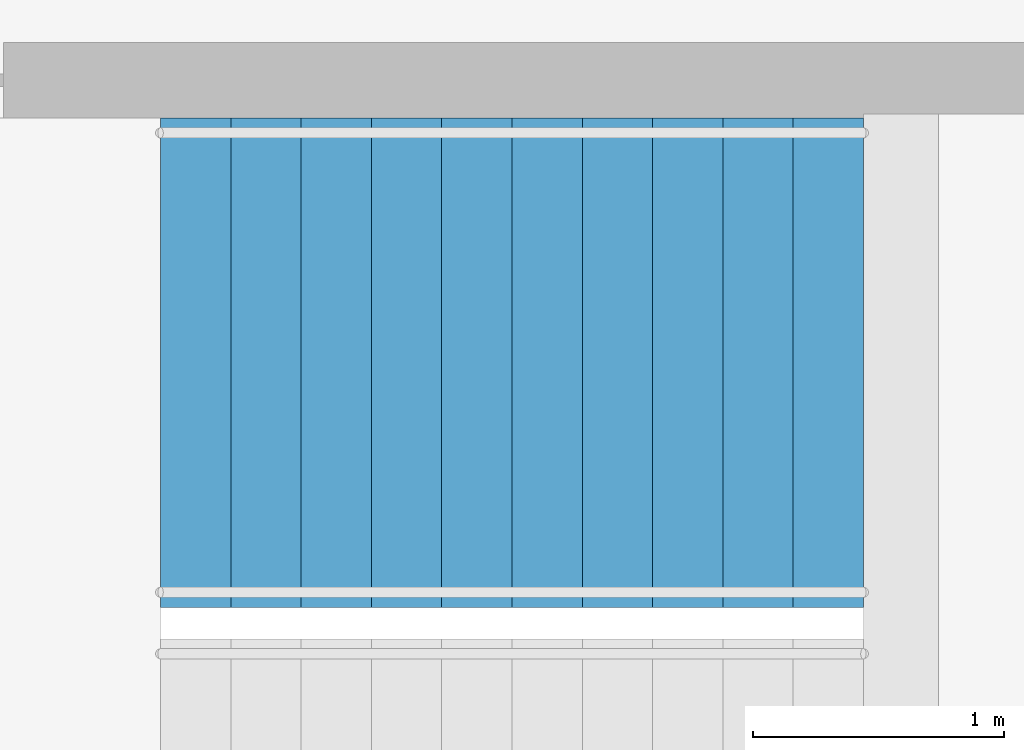
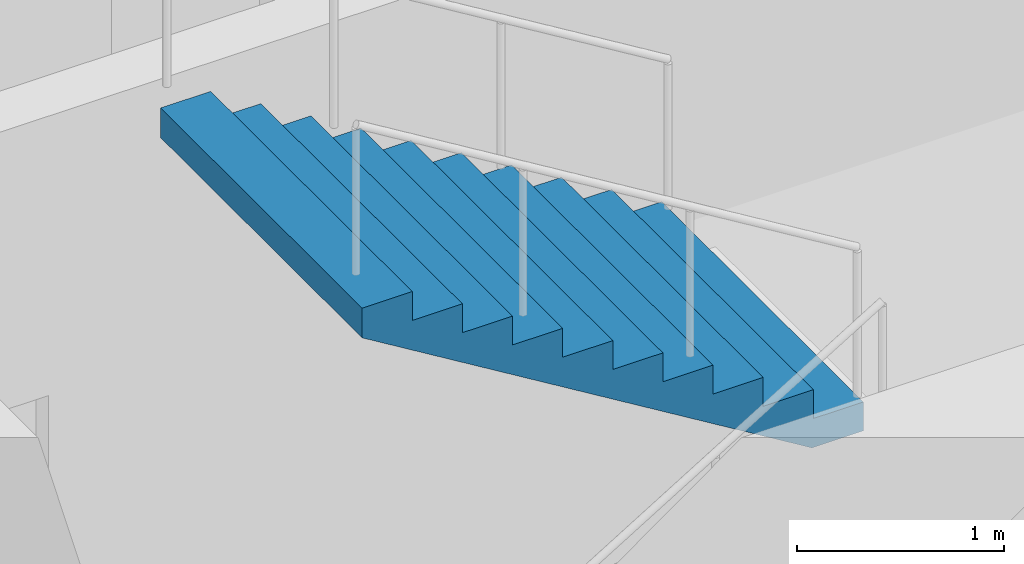
# One storey, part 24 of 29: 1 stair flight, 1 element without a shape of its own.
"""IFC4 building model written with IfcOpenShell, lengths in metres."""

from ifc_helpers import new_model, si_unit, direction, frame, origin, place, context, subcontext, project, spatial, triangles, material, type_object, element, aggregate, save


model = new_model("IFC4")

# Units and contexts
model_context = context("Model", 3, precision=1e-05, world=origin(), true_north=direction((0.0, 1.0)))
body_context = subcontext(model_context, "Body", "Model", "MODEL_VIEW")
ifc_project = project(units=[si_unit("LENGTHUNIT", "METRE"), si_unit("AREAUNIT", "SQUARE_METRE"), si_unit("VOLUMEUNIT", "CUBIC_METRE"), si_unit("PLANEANGLEUNIT", "RADIAN"), si_unit("MASSUNIT", "GRAM", prefix="KILO")], contexts=[model_context])

# Site, building, storey
site_placement = place(None, origin())
site = spatial("IfcSite", under=ifc_project, at=site_placement, CompositionType="ELEMENT")
building_placement = place(site_placement, origin())
building = spatial("IfcBuilding", under=site, at=building_placement, Name="Orbita Commons", CompositionType="ELEMENT")
storey_placement = place(building_placement, frame((0.0, 0.0, 163.60009765625)))
storey = spatial("IfcBuildingStorey", under=building, at=storey_placement, Name="L40", CompositionType="ELEMENT", Elevation=163.60009765625)

# Stair, stair flight
ifc_material_1 = material(Name="Precast concrete C40/50", Category="concrete")
stair_type = type_object("IfcStairType", Name="Exit stair S1 2 flights 11 risers 170", PredefinedType="HALF_TURN_STAIR", material=ifc_material_1)
stair_placement = place(storey_placement, origin())
stair = element("IfcStair", 1, at=stair_placement, inside=storey, type_object=stair_type, Name="Exit stair S1 L40", PredefinedType="HALF_TURN_STAIR")
ifc_material_2 = material(Name="Precast concrete C40/50", Category="concrete")
stair_flight_type = type_object("IfcStairFlightType", Name="Stair flight 11 risers 170 x 280", PredefinedType="STRAIGHT", material=ifc_material_2)
stair_flight_placement = place(storey_placement, frame((23.25, 29.27490234375, 1.875), z_axis=(0.0, 0.0, 1.0), x_axis=(-1.0, 0.0, 0.0)))
stair_flight = element("IfcStairFlight", 2, at=stair_flight_placement, type_object=stair_flight_type, Name="S1 flight 2", NumberOfRisers=11, NumberOfTreads=10, PredefinedType="STRAIGHT", RiserHeight=0.170454545, TreadLength=0.28, context=body_context, shape_type="Tessellation", body=[
    triangles([(0.0, 0.974976, 0.0), (0.0, 0.974976, 0.021307), (0.0, 0.81248, 0.021307), (0.0, 0.81248, 0.0), (0.0, 0.649984, 0.021307), (0.0, 0.649984, 0.0), (0.0, 0.487488, 0.021307), (0.0, 0.487488, 0.0), (0.0, 0.324992, 0.021307), (0.0, 0.324992, 0.0), (0.0, 0.162496, 0.021307), (0.0, 0.162496, 0.0), (0.0, 0.0, 0.021307), (0.0, 0.0, 0.0), (0.0, -0.162496, 0.021307), (0.0, -0.162496, 0.0), (0.0, -0.324992, 0.021307), (0.0, -0.324992, 0.0), (0.0, -0.487488, 0.021307), (0.0, -0.487488, 0.0), (0.0, -0.649984, 0.021307), (0.0, -0.649984, 0.0), (0.0, -0.81248, 0.021307), (0.0, -0.81248, 0.0), (0.0, -0.974976, 0.021307), (0.0, -0.974976, 0.0), (0.0, 0.974976, 0.042614), (0.0, 0.81248, 0.042614), (0.0, 0.649984, 0.042614), (0.0, 0.487488, 0.042614), (0.0, 0.324992, 0.042614), (0.0, 0.162496, 0.042614), (0.0, 0.0, 0.042614), (0.0, -0.162496, 0.042614), (0.0, -0.324992, 0.042614), (0.0, -0.487488, 0.042614), (0.0, -0.649984, 0.042614), (0.0, -0.81248, 0.042614), (0.0, -0.974976, 0.042614), (0.0, 0.974976, 0.06392), (0.0, 0.81248, 0.06392), (0.0, 0.649984, 0.06392), (0.0, 0.487488, 0.06392), (0.0, 0.324992, 0.06392), (0.0, 0.162496, 0.06392), (0.0, 0.0, 0.06392), (0.0, -0.162496, 0.06392), (0.0, -0.324992, 0.06392), (0.0, -0.487488, 0.06392), (0.0, -0.649984, 0.06392), (0.0, -0.81248, 0.06392), (0.0, -0.974976, 0.06392), (0.0, 0.974976, 0.085227), (0.0, 0.81248, 0.085227), (0.0, 0.649984, 0.085227), (0.0, 0.487488, 0.085227), (0.0, 0.324992, 0.085227), (0.0, 0.162496, 0.085227), (0.0, 0.0, 0.085227), (0.0, -0.162496, 0.085227), (0.0, -0.324992, 0.085227), (0.0, -0.487488, 0.085227), (0.0, -0.649984, 0.085227), (0.0, -0.81248, 0.085227), (0.0, -0.974976, 0.085227), (0.0, 0.974976, 0.106534), (0.0, 0.81248, 0.106534), (0.0, 0.649984, 0.106534), (0.0, 0.487488, 0.106534), (0.0, 0.324992, 0.106534), (0.0, 0.162496, 0.106534), (0.0, 0.0, 0.106534), (0.0, -0.162496, 0.106534), (0.0, -0.324992, 0.106534), (0.0, -0.487488, 0.106534), (0.0, -0.649984, 0.106534), (0.0, -0.81248, 0.106534), (0.0, -0.974976, 0.106534), (0.0, 0.974976, 0.127841), (0.0, 0.81248, 0.127841), (0.0, 0.649984, 0.127841), (0.0, 0.487488, 0.127841), (0.0, 0.324992, 0.127841), (0.0, 0.162496, 0.127841), (0.0, 0.0, 0.127841), (0.0, -0.162496, 0.127841), (0.0, -0.324992, 0.127841), (0.0, -0.487488, 0.127841), (0.0, -0.649984, 0.127841), (0.0, -0.81248, 0.127841), (0.0, -0.974976, 0.127841), (0.0, 0.974976, 0.149148), (0.0, 0.81248, 0.149148), (0.0, 0.649984, 0.149148), (0.0, 0.487488, 0.149148), (0.0, 0.324992, 0.149148), (0.0, 0.162496, 0.149148), (0.0, 0.0, 0.149148), (0.0, -0.162496, 0.149148), (0.0, -0.324992, 0.149148), (0.0, -0.487488, 0.149148), (0.0, -0.649984, 0.149148), (0.0, -0.81248, 0.149148), (0.0, -0.974976, 0.149148), (0.0, 0.974976, 0.170455), (0.0, 0.81248, 0.170455), (0.0, 0.649984, 0.170455), (0.0, 0.487488, 0.170455), (0.0, 0.324992, 0.170455), (0.0, 0.162496, 0.170455), (0.0, 0.0, 0.170455), (0.0, -0.162496, 0.170455), (0.0, -0.324992, 0.170455), (0.0, -0.487488, 0.170455), (0.0, -0.649984, 0.170455), (0.0, -0.81248, 0.170455), (0.0, -0.974976, 0.170455), (0.28, 0.974976, 0.170455), (0.28, 0.81248, 0.170455), (0.28, 0.649984, 0.170455), (0.28, 0.487488, 0.170455), (0.28, 0.324992, 0.170455), (0.28, 0.162496, 0.170455), (0.28, 0.0, 0.170455), (0.28, -0.162496, 0.170455), (0.28, -0.324992, 0.170455), (0.28, -0.487488, 0.170455), (0.28, -0.649984, 0.170455), (0.28, -0.81248, 0.170455), (0.28, -0.974976, 0.170455), (0.28, 0.974976, 0.340909), (0.28, 0.81248, 0.340909), (0.28, 0.649984, 0.340909), (0.28, 0.487488, 0.340909), (0.28, 0.324992, 0.340909), (0.28, 0.162496, 0.340909), (0.28, 0.0, 0.340909), (0.28, -0.162496, 0.340909), (0.28, -0.324992, 0.340909), (0.28, -0.487488, 0.340909), (0.28, -0.649984, 0.340909), (0.28, -0.81248, 0.340909), (0.28, -0.974976, 0.340909), (0.56, 0.974976, 0.340909), (0.56, 0.81248, 0.340909), (0.56, 0.649984, 0.340909), (0.56, 0.487488, 0.340909), (0.56, 0.324992, 0.340909), (0.56, 0.162496, 0.340909), (0.56, 0.0, 0.340909), (0.56, -0.162496, 0.340909), (0.56, -0.324992, 0.340909), (0.56, -0.487488, 0.340909), (0.56, -0.649984, 0.340909), (0.56, -0.81248, 0.340909), (0.56, -0.974976, 0.340909), (0.56, 0.974976, 0.511364), (0.56, 0.81248, 0.511364), (0.56, 0.649984, 0.511364), (0.56, 0.487488, 0.511364), (0.56, 0.324992, 0.511364), (0.56, 0.162496, 0.511364), (0.56, 0.0, 0.511364), (0.56, -0.162496, 0.511364), (0.56, -0.324992, 0.511364), (0.56, -0.487488, 0.511364), (0.56, -0.649984, 0.511364), (0.56, -0.81248, 0.511364), (0.56, -0.974976, 0.511364), (0.84, 0.974976, 0.511364), (0.84, 0.81248, 0.511364), (0.84, 0.649984, 0.511364), (0.84, 0.487488, 0.511364), (0.84, 0.324992, 0.511364), (0.84, 0.162496, 0.511364), (0.84, 0.0, 0.511364), (0.84, -0.162496, 0.511364), (0.84, -0.324992, 0.511364), (0.84, -0.487488, 0.511364), (0.84, -0.649984, 0.511364), (0.84, -0.81248, 0.511364), (0.84, -0.974976, 0.511364), (0.84, 0.974976, 0.681818), (0.84, 0.81248, 0.681818), (0.84, 0.649984, 0.681818), (0.84, 0.487488, 0.681818), (0.84, 0.324992, 0.681818), (0.84, 0.162496, 0.681818), (0.84, 0.0, 0.681818), (0.84, -0.162496, 0.681818), (0.84, -0.324992, 0.681818), (0.84, -0.487488, 0.681818), (0.84, -0.649984, 0.681818), (0.84, -0.81248, 0.681818), (0.84, -0.974976, 0.681818), (1.12, 0.974976, 0.681818), (1.12, 0.81248, 0.681818), (1.12, 0.649984, 0.681818), (1.12, 0.487488, 0.681818), (1.12, 0.324992, 0.681818), (1.12, 0.162496, 0.681818), (1.12, 0.0, 0.681818), (1.12, -0.162496, 0.681818), (1.12, -0.324992, 0.681818), (1.12, -0.487488, 0.681818), (1.12, -0.649984, 0.681818), (1.12, -0.81248, 0.681818), (1.12, -0.974976, 0.681818), (1.12, 0.974976, 0.852273), (1.12, 0.81248, 0.852273), (1.12, 0.649984, 0.852273), (1.12, 0.487488, 0.852273), (1.12, 0.324992, 0.852273), (1.12, 0.162496, 0.852273), (1.12, 0.0, 0.852273), (1.12, -0.162496, 0.852273), (1.12, -0.324992, 0.852273), (1.12, -0.487488, 0.852273), (1.12, -0.649984, 0.852273), (1.12, -0.81248, 0.852273), (1.12, -0.974976, 0.852273), (1.4, 0.974976, 0.852273), (1.4, 0.81248, 0.852273), (1.4, 0.649984, 0.852273), (1.4, 0.487488, 0.852273), (1.4, 0.324992, 0.852273), (1.4, 0.162496, 0.852273), (1.4, 0.0, 0.852273), (1.4, -0.162496, 0.852273), (1.4, -0.324992, 0.852273), (1.4, -0.487488, 0.852273), (1.4, -0.649984, 0.852273), (1.4, -0.81248, 0.852273), (1.4, -0.974976, 0.852273), (1.4, 0.974976, 1.022727), (1.4, 0.81248, 1.022727), (1.4, 0.649984, 1.022727), (1.4, 0.487488, 1.022727), (1.4, 0.324992, 1.022727), (1.4, 0.162496, 1.022727), (1.4, 0.0, 1.022727), (1.4, -0.162496, 1.022727), (1.4, -0.324992, 1.022727), (1.4, -0.487488, 1.022727), (1.4, -0.649984, 1.022727), (1.4, -0.81248, 1.022727), (1.4, -0.974976, 1.022727), (1.68, 0.974976, 1.022727), (1.68, 0.81248, 1.022727), (1.68, 0.649984, 1.022727), (1.68, 0.487488, 1.022727), (1.68, 0.324992, 1.022727), (1.68, 0.162496, 1.022727), (1.68, 0.0, 1.022727), (1.68, -0.162496, 1.022727), (1.68, -0.324992, 1.022727), (1.68, -0.487488, 1.022727), (1.68, -0.649984, 1.022727), (1.68, -0.81248, 1.022727), (1.68, -0.974976, 1.022727), (1.68, 0.974976, 1.193182), (1.68, 0.81248, 1.193182), (1.68, 0.649984, 1.193182), (1.68, 0.487488, 1.193182), (1.68, 0.324992, 1.193182), (1.68, 0.162496, 1.193182), (1.68, 0.0, 1.193182), (1.68, -0.162496, 1.193182), (1.68, -0.324992, 1.193182), (1.68, -0.487488, 1.193182), (1.68, -0.649984, 1.193182), (1.68, -0.81248, 1.193182), (1.68, -0.974976, 1.193182), (1.96, 0.974976, 1.193182), (1.96, 0.81248, 1.193182), (1.96, 0.649984, 1.193182), (1.96, 0.487488, 1.193182), (1.96, 0.324992, 1.193182), (1.96, 0.162496, 1.193182), (1.96, 0.0, 1.193182), (1.96, -0.162496, 1.193182), (1.96, -0.324992, 1.193182), (1.96, -0.487488, 1.193182), (1.96, -0.649984, 1.193182), (1.96, -0.81248, 1.193182), (1.96, -0.974976, 1.193182), (1.96, 0.974976, 1.363636), (1.96, 0.81248, 1.363636), (1.96, 0.649984, 1.363636), (1.96, 0.487488, 1.363636), (1.96, 0.324992, 1.363636), (1.96, 0.162496, 1.363636), (1.96, 0.0, 1.363636), (1.96, -0.162496, 1.363636), (1.96, -0.324992, 1.363636), (1.96, -0.487488, 1.363636), (1.96, -0.649984, 1.363636), (1.96, -0.81248, 1.363636), (1.96, -0.974976, 1.363636), (2.24, 0.974976, 1.363636), (2.24, 0.81248, 1.363636), (2.24, 0.649984, 1.363636), (2.24, 0.487488, 1.363636), (2.24, 0.324992, 1.363636), (2.24, 0.162496, 1.363636), (2.24, 0.0, 1.363636), (2.24, -0.162496, 1.363636), (2.24, -0.324992, 1.363636), (2.24, -0.487488, 1.363636), (2.24, -0.649984, 1.363636), (2.24, -0.81248, 1.363636), (2.24, -0.974976, 1.363636), (2.24, 0.974976, 1.534091), (2.24, 0.81248, 1.534091), (2.24, 0.649984, 1.534091), (2.24, 0.487488, 1.534091), (2.24, 0.324992, 1.534091), (2.24, 0.162496, 1.534091), (2.24, 0.0, 1.534091), (2.24, -0.162496, 1.534091), (2.24, -0.324992, 1.534091), (2.24, -0.487488, 1.534091), (2.24, -0.649984, 1.534091), (2.24, -0.81248, 1.534091), (2.24, -0.974976, 1.534091), (2.52, 0.974976, 1.534091), (2.52, 0.81248, 1.534091), (2.52, 0.649984, 1.534091), (2.52, 0.487488, 1.534091), (2.52, 0.324992, 1.534091), (2.52, 0.162496, 1.534091), (2.52, 0.0, 1.534091), (2.52, -0.162496, 1.534091), (2.52, -0.324992, 1.534091), (2.52, -0.487488, 1.534091), (2.52, -0.649984, 1.534091), (2.52, -0.81248, 1.534091), (2.52, -0.974976, 1.534091), (2.52, 0.974976, 1.704545), (2.52, 0.81248, 1.704545), (2.52, 0.649984, 1.704545), (2.52, 0.487488, 1.704545), (2.52, 0.324992, 1.704545), (2.52, 0.162496, 1.704545), (2.52, 0.0, 1.704545), (2.52, -0.162496, 1.704545), (2.52, -0.324992, 1.704545), (2.52, -0.487488, 1.704545), (2.52, -0.649984, 1.704545), (2.52, -0.81248, 1.704545), (2.52, -0.974976, 1.704545), (2.8, 0.974976, 1.704545), (2.8, 0.81248, 1.704545), (2.8, 0.649984, 1.704545), (2.8, 0.487488, 1.704545), (2.8, 0.324992, 1.704545), (2.8, 0.162496, 1.704545), (2.8, 0.0, 1.704545), (2.8, -0.162496, 1.704545), (2.8, -0.324992, 1.704545), (2.8, -0.487488, 1.704545), (2.8, -0.649984, 1.704545), (2.8, -0.81248, 1.704545), (2.8, -0.974976, 1.704545), (2.8, 0.974976, 1.682609), (2.8, 0.81248, 1.682609), (2.8, 0.649984, 1.682609), (2.8, 0.487488, 1.682609), (2.8, 0.324992, 1.682609), (2.8, 0.162496, 1.682609), (2.8, 0.0, 1.682609), (2.8, -0.162496, 1.682609), (2.8, -0.324992, 1.682609), (2.8, -0.487488, 1.682609), (2.8, -0.649984, 1.682609), (2.8, -0.81248, 1.682609), (2.8, -0.974976, 1.682609), (2.8, 0.974976, 1.660672), (2.8, 0.81248, 1.660672), (2.8, 0.649984, 1.660672), (2.8, 0.487488, 1.660672), (2.8, 0.324992, 1.660672), (2.8, 0.162496, 1.660672), (2.8, 0.0, 1.660672), (2.8, -0.162496, 1.660672), (2.8, -0.324992, 1.660672), (2.8, -0.487488, 1.660672), (2.8, -0.649984, 1.660672), (2.8, -0.81248, 1.660672), (2.8, -0.974976, 1.660672), (2.8, 0.974976, 1.638735), (2.8, 0.81248, 1.638735), (2.8, 0.649984, 1.638735), (2.8, 0.487488, 1.638735), (2.8, 0.324992, 1.638735), (2.8, 0.162496, 1.638735), (2.8, 0.0, 1.638735), (2.8, -0.162496, 1.638735), (2.8, -0.324992, 1.638735), (2.8, -0.487488, 1.638735), (2.8, -0.649984, 1.638735), (2.8, -0.81248, 1.638735), (2.8, -0.974976, 1.638735), (2.8, 0.974976, 1.616798), (2.8, 0.81248, 1.616798), (2.8, 0.649984, 1.616798), (2.8, 0.487488, 1.616798), (2.8, 0.324992, 1.616798), (2.8, 0.162496, 1.616798), (2.8, 0.0, 1.616798), (2.8, -0.162496, 1.616798), (2.8, -0.324992, 1.616798), (2.8, -0.487488, 1.616798), (2.8, -0.649984, 1.616798), (2.8, -0.81248, 1.616798), (2.8, -0.974976, 1.616798), (2.8, 0.974976, 1.594861), (2.8, 0.81248, 1.594861), (2.8, 0.649984, 1.594861), (2.8, 0.487488, 1.594861), (2.8, 0.324992, 1.594861), (2.8, 0.162496, 1.594861), (2.8, 0.0, 1.594861), (2.8, -0.162496, 1.594861), (2.8, -0.324992, 1.594861), (2.8, -0.487488, 1.594861), (2.8, -0.649984, 1.594861), (2.8, -0.81248, 1.594861), (2.8, -0.974976, 1.594861), (2.8, 0.974976, 1.572925), (2.8, 0.81248, 1.572925), (2.8, 0.649984, 1.572925), (2.8, 0.487488, 1.572925), (2.8, 0.324992, 1.572925), (2.8, 0.162496, 1.572925), (2.8, 0.0, 1.572925), (2.8, -0.162496, 1.572925), (2.8, -0.324992, 1.572925), (2.8, -0.487488, 1.572925), (2.8, -0.649984, 1.572925), (2.8, -0.81248, 1.572925), (2.8, -0.974976, 1.572925), (2.8, 0.974976, 1.550988), (2.8, 0.81248, 1.550988), (2.8, 0.649984, 1.550988), (2.8, 0.487488, 1.550988), (2.8, 0.324992, 1.550988), (2.8, 0.162496, 1.550988), (2.8, 0.0, 1.550988), (2.8, -0.162496, 1.550988), (2.8, -0.324992, 1.550988), (2.8, -0.487488, 1.550988), (2.8, -0.649984, 1.550988), (2.8, -0.81248, 1.550988), (2.8, -0.974976, 1.550988), (2.8, 0.974976, 1.529051), (2.8, 0.81248, 1.529051), (2.8, 0.649984, 1.529051), (2.8, 0.487488, 1.529051), (2.8, 0.324992, 1.529051), (2.8, 0.162496, 1.529051), (2.8, 0.0, 1.529051), (2.8, -0.162496, 1.529051), (2.8, -0.324992, 1.529051), (2.8, -0.487488, 1.529051), (2.8, -0.649984, 1.529051), (2.8, -0.81248, 1.529051), (2.8, -0.974976, 1.529051), (0.288279, 0.974976, 0.0), (0.288279, 0.81248, 0.0), (0.288279, 0.649984, 0.0), (0.288279, 0.487488, 0.0), (0.288279, 0.324992, 0.0), (0.288279, 0.162496, 0.0), (0.288279, 0.0, 0.0), (0.288279, -0.162496, 0.0), (0.288279, -0.324992, 0.0), (0.288279, -0.487488, 0.0), (0.288279, -0.649984, 0.0), (0.288279, -0.81248, 0.0), (0.288279, -0.974976, 0.0)], [[3, 2, 1], [4, 3, 1], [5, 3, 4], [6, 5, 4], [7, 5, 6], [8, 7, 6], [9, 7, 8], [10, 9, 8], [11, 9, 10], [12, 11, 10], [13, 11, 12], [14, 13, 12], [15, 13, 14], [16, 15, 14], [17, 15, 16], [18, 17, 16], [19, 17, 18], [20, 19, 18], [21, 19, 20], [22, 21, 20], [23, 21, 22], [24, 23, 22], [25, 23, 24], [26, 25, 24], [28, 27, 2], [3, 28, 2], [29, 28, 3], [5, 29, 3], [30, 29, 5], [7, 30, 5], [31, 30, 7], [9, 31, 7], [32, 31, 9], [11, 32, 9], [33, 32, 11], [13, 33, 11], [34, 33, 13], [15, 34, 13], [35, 34, 15], [17, 35, 15], [36, 35, 17], [19, 36, 17], [37, 36, 19], [21, 37, 19], [38, 37, 21], [23, 38, 21], [39, 38, 23], [25, 39, 23], [41, 40, 27], [28, 41, 27], [42, 41, 28], [29, 42, 28], [43, 42, 29], [30, 43, 29], [44, 43, 30], [31, 44, 30], [45, 44, 31], [32, 45, 31], [46, 45, 32], [33, 46, 32], [47, 46, 33], [34, 47, 33], [48, 47, 34], [35, 48, 34], [49, 48, 35], [36, 49, 35], [50, 49, 36], [37, 50, 36], [51, 50, 37], [38, 51, 37], [52, 51, 38], [39, 52, 38], [54, 53, 40], [41, 54, 40], [55, 54, 41], [42, 55, 41], [56, 55, 42], [43, 56, 42], [57, 56, 43], [44, 57, 43], [58, 57, 44], [45, 58, 44], [59, 58, 45], [46, 59, 45], [60, 59, 46], [47, 60, 46], [61, 60, 47], [48, 61, 47], [62, 61, 48], [49, 62, 48], [63, 62, 49], [50, 63, 49], [64, 63, 50], [51, 64, 50], [65, 64, 51], [52, 65, 51], [67, 66, 53], [54, 67, 53], [68, 67, 54], [55, 68, 54], [69, 68, 55], [56, 69, 55], [70, 69, 56], [57, 70, 56], [71, 70, 57], [58, 71, 57], [72, 71, 58], [59, 72, 58], [73, 72, 59], [60, 73, 59], [74, 73, 60], [61, 74, 60], [75, 74, 61], [62, 75, 61], [76, 75, 62], [63, 76, 62], [77, 76, 63], [64, 77, 63], [78, 77, 64], [65, 78, 64], [80, 79, 66], [67, 80, 66], [81, 80, 67], [68, 81, 67], [82, 81, 68], [69, 82, 68], [83, 82, 69], [70, 83, 69], [84, 83, 70], [71, 84, 70], [85, 84, 71], [72, 85, 71], [86, 85, 72], [73, 86, 72], [87, 86, 73], [74, 87, 73], [88, 87, 74], [75, 88, 74], [89, 88, 75], [76, 89, 75], [90, 89, 76], [77, 90, 76], [91, 90, 77], [78, 91, 77], [93, 92, 79], [80, 93, 79], [94, 93, 80], [81, 94, 80], [95, 94, 81], [82, 95, 81], [96, 95, 82], [83, 96, 82], [97, 96, 83], [84, 97, 83], [98, 97, 84], [85, 98, 84], [99, 98, 85], [86, 99, 85], [100, 99, 86], [87, 100, 86], [101, 100, 87], [88, 101, 87], [102, 101, 88], [89, 102, 88], [103, 102, 89], [90, 103, 89], [104, 103, 90], [91, 104, 90], [106, 105, 92], [93, 106, 92], [107, 106, 93], [94, 107, 93], [108, 107, 94], [95, 108, 94], [109, 108, 95], [96, 109, 95], [110, 109, 96], [97, 110, 96], [111, 110, 97], [98, 111, 97], [112, 111, 98], [99, 112, 98], [113, 112, 99], [100, 113, 99], [114, 113, 100], [101, 114, 100], [115, 114, 101], [102, 115, 101], [116, 115, 102], [103, 116, 102], [117, 116, 103], [104, 117, 103], [119, 118, 105], [106, 119, 105], [120, 119, 106], [107, 120, 106], [121, 120, 107], [108, 121, 107], [122, 121, 108], [109, 122, 108], [123, 122, 109], [110, 123, 109], [124, 123, 110], [111, 124, 110], [125, 124, 111], [112, 125, 111], [126, 125, 112], [113, 126, 112], [127, 126, 113], [114, 127, 113], [128, 127, 114], [115, 128, 114], [129, 128, 115], [116, 129, 115], [130, 129, 116], [117, 130, 116], [132, 131, 118], [119, 132, 118], [133, 132, 119], [120, 133, 119], [134, 133, 120], [121, 134, 120], [135, 134, 121], [122, 135, 121], [136, 135, 122], [123, 136, 122], [137, 136, 123], [124, 137, 123], [138, 137, 124], [125, 138, 124], [139, 138, 125], [126, 139, 125], [140, 139, 126], [127, 140, 126], [141, 140, 127], [128, 141, 127], [142, 141, 128], [129, 142, 128], [143, 142, 129], [130, 143, 129], [145, 144, 131], [132, 145, 131], [146, 145, 132], [133, 146, 132], [147, 146, 133], [134, 147, 133], [148, 147, 134], [135, 148, 134], [149, 148, 135], [136, 149, 135], [150, 149, 136], [137, 150, 136], [151, 150, 137], [138, 151, 137], [152, 151, 138], [139, 152, 138], [153, 152, 139], [140, 153, 139], [154, 153, 140], [141, 154, 140], [155, 154, 141], [142, 155, 141], [156, 155, 142], [143, 156, 142], [158, 157, 144], [145, 158, 144], [159, 158, 145], [146, 159, 145], [160, 159, 146], [147, 160, 146], [161, 160, 147], [148, 161, 147], [162, 161, 148], [149, 162, 148], [163, 162, 149], [150, 163, 149], [164, 163, 150], [151, 164, 150], [165, 164, 151], [152, 165, 151], [166, 165, 152], [153, 166, 152], [167, 166, 153], [154, 167, 153], [168, 167, 154], [155, 168, 154], [169, 168, 155], [156, 169, 155], [171, 170, 157], [158, 171, 157], [172, 171, 158], [159, 172, 158], [173, 172, 159], [160, 173, 159], [174, 173, 160], [161, 174, 160], [175, 174, 161], [162, 175, 161], [176, 175, 162], [163, 176, 162], [177, 176, 163], [164, 177, 163], [178, 177, 164], [165, 178, 164], [179, 178, 165], [166, 179, 165], [180, 179, 166], [167, 180, 166], [181, 180, 167], [168, 181, 167], [182, 181, 168], [169, 182, 168], [184, 183, 170], [171, 184, 170], [185, 184, 171], [172, 185, 171], [186, 185, 172], [173, 186, 172], [187, 186, 173], [174, 187, 173], [188, 187, 174], [175, 188, 174], [189, 188, 175], [176, 189, 175], [190, 189, 176], [177, 190, 176], [191, 190, 177], [178, 191, 177], [192, 191, 178], [179, 192, 178], [193, 192, 179], [180, 193, 179], [194, 193, 180], [181, 194, 180], [195, 194, 181], [182, 195, 181], [197, 196, 183], [184, 197, 183], [198, 197, 184], [185, 198, 184], [199, 198, 185], [186, 199, 185], [200, 199, 186], [187, 200, 186], [201, 200, 187], [188, 201, 187], [202, 201, 188], [189, 202, 188], [203, 202, 189], [190, 203, 189], [204, 203, 190], [191, 204, 190], [205, 204, 191], [192, 205, 191], [206, 205, 192], [193, 206, 192], [207, 206, 193], [194, 207, 193], [208, 207, 194], [195, 208, 194], [210, 209, 196], [197, 210, 196], [211, 210, 197], [198, 211, 197], [212, 211, 198], [199, 212, 198], [213, 212, 199], [200, 213, 199], [214, 213, 200], [201, 214, 200], [215, 214, 201], [202, 215, 201], [216, 215, 202], [203, 216, 202], [217, 216, 203], [204, 217, 203], [218, 217, 204], [205, 218, 204], [219, 218, 205], [206, 219, 205], [220, 219, 206], [207, 220, 206], [221, 220, 207], [208, 221, 207], [223, 222, 209], [210, 223, 209], [224, 223, 210], [211, 224, 210], [225, 224, 211], [212, 225, 211], [226, 225, 212], [213, 226, 212], [227, 226, 213], [214, 227, 213], [228, 227, 214], [215, 228, 214], [229, 228, 215], [216, 229, 215], [230, 229, 216], [217, 230, 216], [231, 230, 217], [218, 231, 217], [232, 231, 218], [219, 232, 218], [233, 232, 219], [220, 233, 219], [234, 233, 220], [221, 234, 220], [236, 235, 222], [223, 236, 222], [237, 236, 223], [224, 237, 223], [238, 237, 224], [225, 238, 224], [239, 238, 225], [226, 239, 225], [240, 239, 226], [227, 240, 226], [241, 240, 227], [228, 241, 227], [242, 241, 228], [229, 242, 228], [243, 242, 229], [230, 243, 229], [244, 243, 230], [231, 244, 230], [245, 244, 231], [232, 245, 231], [246, 245, 232], [233, 246, 232], [247, 246, 233], [234, 247, 233], [249, 248, 235], [236, 249, 235], [250, 249, 236], [237, 250, 236], [251, 250, 237], [238, 251, 237], [252, 251, 238], [239, 252, 238], [253, 252, 239], [240, 253, 239], [254, 253, 240], [241, 254, 240], [255, 254, 241], [242, 255, 241], [256, 255, 242], [243, 256, 242], [257, 256, 243], [244, 257, 243], [258, 257, 244], [245, 258, 244], [259, 258, 245], [246, 259, 245], [260, 259, 246], [247, 260, 246], [262, 261, 248], [249, 262, 248], [263, 262, 249], [250, 263, 249], [264, 263, 250], [251, 264, 250], [265, 264, 251], [252, 265, 251], [266, 265, 252], [253, 266, 252], [267, 266, 253], [254, 267, 253], [268, 267, 254], [255, 268, 254], [269, 268, 255], [256, 269, 255], [270, 269, 256], [257, 270, 256], [271, 270, 257], [258, 271, 257], [272, 271, 258], [259, 272, 258], [273, 272, 259], [260, 273, 259], [275, 274, 261], [262, 275, 261], [276, 275, 262], [263, 276, 262], [277, 276, 263], [264, 277, 263], [278, 277, 264], [265, 278, 264], [279, 278, 265], [266, 279, 265], [280, 279, 266], [267, 280, 266], [281, 280, 267], [268, 281, 267], [282, 281, 268], [269, 282, 268], [283, 282, 269], [270, 283, 269], [284, 283, 270], [271, 284, 270], [285, 284, 271], [272, 285, 271], [286, 285, 272], [273, 286, 272], [288, 287, 274], [275, 288, 274], [289, 288, 275], [276, 289, 275], [290, 289, 276], [277, 290, 276], [291, 290, 277], [278, 291, 277], [292, 291, 278], [279, 292, 278], [293, 292, 279], [280, 293, 279], [294, 293, 280], [281, 294, 280], [295, 294, 281], [282, 295, 281], [296, 295, 282], [283, 296, 282], [297, 296, 283], [284, 297, 283], [298, 297, 284], [285, 298, 284], [299, 298, 285], [286, 299, 285], [301, 300, 287], [288, 301, 287], [302, 301, 288], [289, 302, 288], [303, 302, 289], [290, 303, 289], [304, 303, 290], [291, 304, 290], [305, 304, 291], [292, 305, 291], [306, 305, 292], [293, 306, 292], [307, 306, 293], [294, 307, 293], [308, 307, 294], [295, 308, 294], [309, 308, 295], [296, 309, 295], [310, 309, 296], [297, 310, 296], [311, 310, 297], [298, 311, 297], [312, 311, 298], [299, 312, 298], [314, 313, 300], [301, 314, 300], [315, 314, 301], [302, 315, 301], [316, 315, 302], [303, 316, 302], [317, 316, 303], [304, 317, 303], [318, 317, 304], [305, 318, 304], [319, 318, 305], [306, 319, 305], [320, 319, 306], [307, 320, 306], [321, 320, 307], [308, 321, 307], [322, 321, 308], [309, 322, 308], [323, 322, 309], [310, 323, 309], [324, 323, 310], [311, 324, 310], [325, 324, 311], [312, 325, 311], [327, 326, 313], [314, 327, 313], [328, 327, 314], [315, 328, 314], [329, 328, 315], [316, 329, 315], [330, 329, 316], [317, 330, 316], [331, 330, 317], [318, 331, 317], [332, 331, 318], [319, 332, 318], [333, 332, 319], [320, 333, 319], [334, 333, 320], [321, 334, 320], [335, 334, 321], [322, 335, 321], [336, 335, 322], [323, 336, 322], [337, 336, 323], [324, 337, 323], [338, 337, 324], [325, 338, 324], [340, 339, 326], [327, 340, 326], [341, 340, 327], [328, 341, 327], [342, 341, 328], [329, 342, 328], [343, 342, 329], [330, 343, 329], [344, 343, 330], [331, 344, 330], [345, 344, 331], [332, 345, 331], [346, 345, 332], [333, 346, 332], [347, 346, 333], [334, 347, 333], [348, 347, 334], [335, 348, 334], [349, 348, 335], [336, 349, 335], [350, 349, 336], [337, 350, 336], [351, 350, 337], [338, 351, 337], [353, 352, 339], [340, 353, 339], [354, 353, 340], [341, 354, 340], [355, 354, 341], [342, 355, 341], [356, 355, 342], [343, 356, 342], [357, 356, 343], [344, 357, 343], [358, 357, 344], [345, 358, 344], [359, 358, 345], [346, 359, 345], [360, 359, 346], [347, 360, 346], [361, 360, 347], [348, 361, 347], [362, 361, 348], [349, 362, 348], [363, 362, 349], [350, 363, 349], [364, 363, 350], [351, 364, 350], [366, 365, 352], [353, 366, 352], [367, 366, 353], [354, 367, 353], [368, 367, 354], [355, 368, 354], [369, 368, 355], [356, 369, 355], [370, 369, 356], [357, 370, 356], [371, 370, 357], [358, 371, 357], [372, 371, 358], [359, 372, 358], [373, 372, 359], [360, 373, 359], [374, 373, 360], [361, 374, 360], [375, 374, 361], [362, 375, 361], [376, 375, 362], [363, 376, 362], [377, 376, 363], [364, 377, 363], [379, 378, 365], [366, 379, 365], [380, 379, 366], [367, 380, 366], [381, 380, 367], [368, 381, 367], [382, 381, 368], [369, 382, 368], [383, 382, 369], [370, 383, 369], [384, 383, 370], [371, 384, 370], [385, 384, 371], [372, 385, 371], [386, 385, 372], [373, 386, 372], [387, 386, 373], [374, 387, 373], [388, 387, 374], [375, 388, 374], [389, 388, 375], [376, 389, 375], [390, 389, 376], [377, 390, 376], [392, 391, 378], [379, 392, 378], [393, 392, 379], [380, 393, 379], [394, 393, 380], [381, 394, 380], [395, 394, 381], [382, 395, 381], [396, 395, 382], [383, 396, 382], [397, 396, 383], [384, 397, 383], [398, 397, 384], [385, 398, 384], [399, 398, 385], [386, 399, 385], [400, 399, 386], [387, 400, 386], [401, 400, 387], [388, 401, 387], [402, 401, 388], [389, 402, 388], [403, 402, 389], [390, 403, 389], [405, 404, 391], [392, 405, 391], [406, 405, 392], [393, 406, 392], [407, 406, 393], [394, 407, 393], [408, 407, 394], [395, 408, 394], [409, 408, 395], [396, 409, 395], [410, 409, 396], [397, 410, 396], [411, 410, 397], [398, 411, 397], [412, 411, 398], [399, 412, 398], [413, 412, 399], [400, 413, 399], [414, 413, 400], [401, 414, 400], [415, 414, 401], [402, 415, 401], [416, 415, 402], [403, 416, 402], [418, 417, 404], [405, 418, 404], [419, 418, 405], [406, 419, 405], [420, 419, 406], [407, 420, 406], [421, 420, 407], [408, 421, 407], [422, 421, 408], [409, 422, 408], [423, 422, 409], [410, 423, 409], [424, 423, 410], [411, 424, 410], [425, 424, 411], [412, 425, 411], [426, 425, 412], [413, 426, 412], [427, 426, 413], [414, 427, 413], [428, 427, 414], [415, 428, 414], [429, 428, 415], [416, 429, 415], [431, 430, 417], [418, 431, 417], [432, 431, 418], [419, 432, 418], [433, 432, 419], [420, 433, 419], [434, 433, 420], [421, 434, 420], [435, 434, 421], [422, 435, 421], [436, 435, 422], [423, 436, 422], [437, 436, 423], [424, 437, 423], [438, 437, 424], [425, 438, 424], [439, 438, 425], [426, 439, 425], [440, 439, 426], [427, 440, 426], [441, 440, 427], [428, 441, 427], [442, 441, 428], [429, 442, 428], [444, 443, 430], [431, 444, 430], [445, 444, 431], [432, 445, 431], [446, 445, 432], [433, 446, 432], [447, 446, 433], [434, 447, 433], [448, 447, 434], [435, 448, 434], [449, 448, 435], [436, 449, 435], [450, 449, 436], [437, 450, 436], [451, 450, 437], [438, 451, 437], [452, 451, 438], [439, 452, 438], [453, 452, 439], [440, 453, 439], [454, 453, 440], [441, 454, 440], [455, 454, 441], [442, 455, 441], [457, 456, 443], [444, 457, 443], [458, 457, 444], [445, 458, 444], [459, 458, 445], [446, 459, 445], [460, 459, 446], [447, 460, 446], [461, 460, 447], [448, 461, 447], [462, 461, 448], [449, 462, 448], [463, 462, 449], [450, 463, 449], [464, 463, 450], [451, 464, 450], [465, 464, 451], [452, 465, 451], [466, 465, 452], [453, 466, 452], [467, 466, 453], [454, 467, 453], [468, 467, 454], [455, 468, 454], [470, 469, 456], [457, 470, 456], [471, 470, 457], [458, 471, 457], [472, 471, 458], [459, 472, 458], [473, 472, 459], [460, 473, 459], [474, 473, 460], [461, 474, 460], [475, 474, 461], [462, 475, 461], [476, 475, 462], [463, 476, 462], [477, 476, 463], [464, 477, 463], [478, 477, 464], [465, 478, 464], [479, 478, 465], [466, 479, 465], [480, 479, 466], [467, 480, 466], [481, 480, 467], [468, 481, 467], [4, 1, 469], [470, 4, 469], [6, 4, 470], [471, 6, 470], [8, 6, 471], [472, 8, 471], [10, 8, 472], [473, 10, 472], [12, 10, 473], [474, 12, 473], [14, 12, 474], [475, 14, 474], [16, 14, 475], [476, 16, 475], [18, 16, 476], [477, 18, 476], [20, 18, 477], [478, 20, 477], [22, 20, 478], [479, 22, 478], [24, 22, 479], [480, 24, 479], [26, 24, 480], [481, 26, 480], [456, 469, 1], [26, 481, 468], [443, 456, 1], [26, 468, 455], [430, 443, 1], [26, 455, 442], [417, 430, 1], [26, 442, 429], [404, 417, 1], [26, 429, 416], [391, 404, 1], [26, 416, 403], [378, 391, 1], [26, 403, 390], [365, 378, 1], [26, 390, 377], [339, 352, 365], [377, 364, 351], [326, 339, 365], [377, 351, 338], [300, 313, 326], [338, 325, 312], [300, 326, 365], [377, 338, 312], [274, 287, 300], [312, 299, 286], [274, 300, 365], [377, 312, 286], [248, 261, 274], [286, 273, 260], [248, 274, 365], [377, 286, 260], [222, 235, 248], [260, 247, 234], [222, 248, 365], [377, 260, 234], [196, 209, 222], [234, 221, 208], [196, 222, 365], [377, 234, 208], [170, 183, 196], [208, 195, 182], [170, 196, 365], [377, 208, 182], [144, 157, 170], [182, 169, 156], [144, 170, 365], [377, 182, 156], [118, 131, 144], [156, 143, 130], [118, 144, 365], [377, 156, 130], [118, 365, 1], [26, 377, 130], [92, 105, 118], [130, 117, 104], [79, 92, 118], [130, 104, 91], [66, 79, 118], [130, 91, 78], [53, 66, 118], [130, 78, 65], [40, 53, 118], [130, 65, 52], [27, 40, 118], [130, 52, 39], [2, 27, 118], [130, 39, 25], [1, 2, 118], [130, 25, 26]], closed=True),
])
aggregate(stair, [stair_flight])

save(model, "model.ifc")
